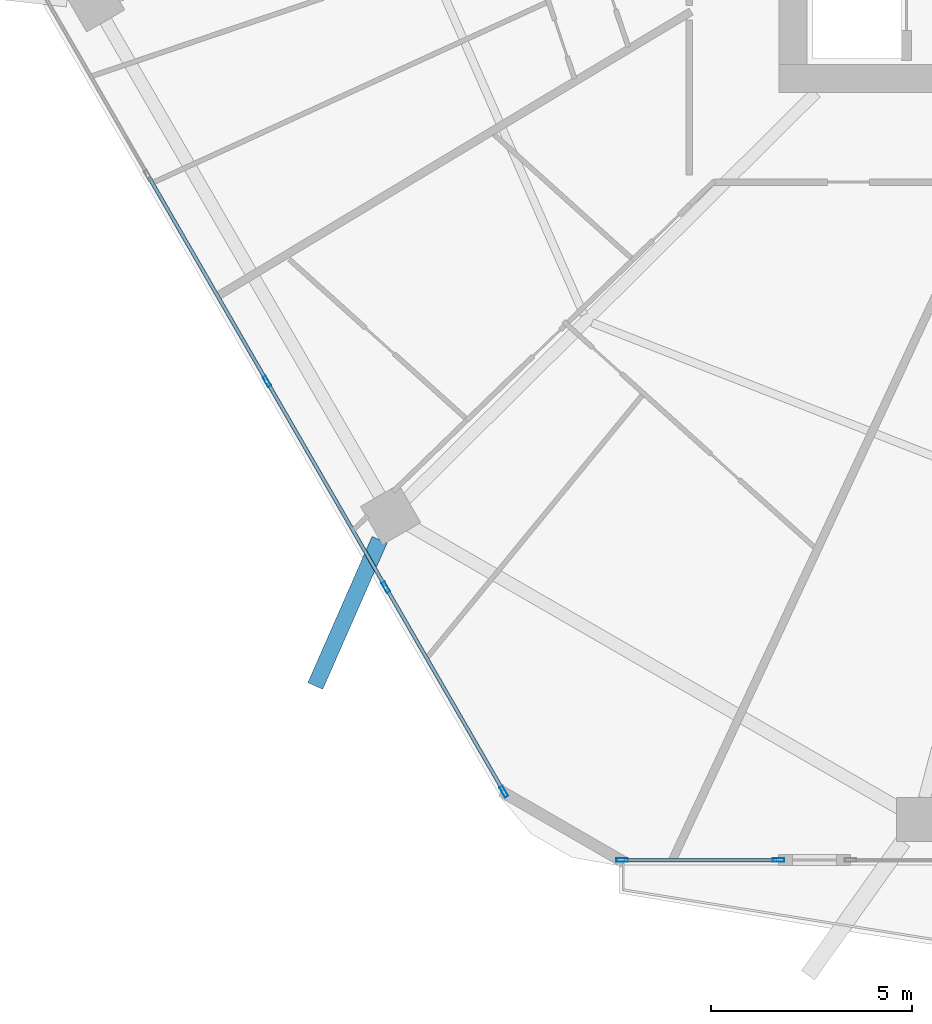
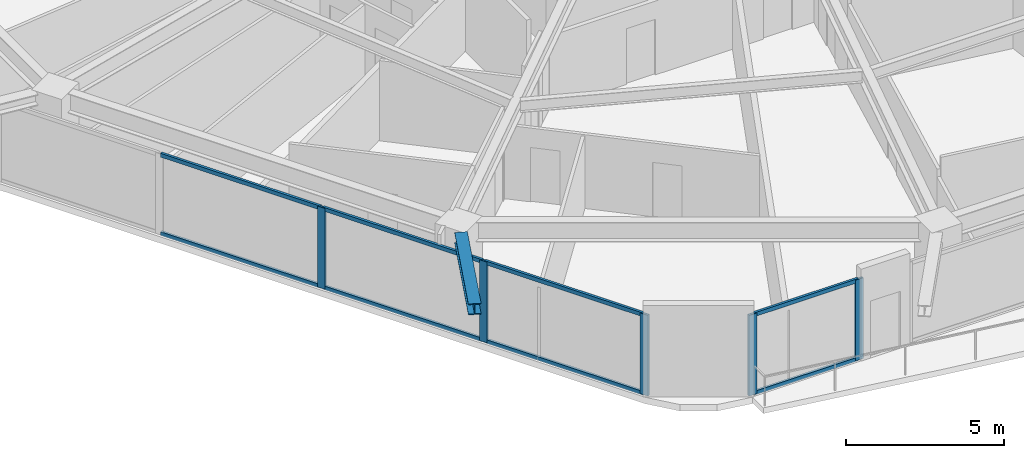
# One storey, part 2 of 33: 13 members, 1 beam, 2 elements without a shape of their own.
"""IFC4 building model written with IfcOpenShell, lengths in metres."""

from ifc_helpers import new_model, si_unit, direction, frame, origin, origin_2d, place, context, subcontext, project, spatial, hollow_rectangle, i_section, extrude, material, material_profile, profile_set, type_object, element, aggregate, save


model = new_model("IFC4")

# Units and contexts
model_context = context("Model", 3, precision=1e-05, world=origin(), true_north=direction((0.0, 1.0)))
body_context = subcontext(model_context, "Body", "Model", "MODEL_VIEW")
ifc_project = project(units=[si_unit("LENGTHUNIT", "METRE"), si_unit("AREAUNIT", "SQUARE_METRE"), si_unit("VOLUMEUNIT", "CUBIC_METRE"), si_unit("PLANEANGLEUNIT", "RADIAN"), si_unit("MASSUNIT", "GRAM", prefix="KILO")], contexts=[model_context])

# Site, building, storey
site_placement = place(None, origin())
site = spatial("IfcSite", under=ifc_project, at=site_placement, CompositionType="ELEMENT")
building_placement = place(site_placement, origin())
building = spatial("IfcBuilding", under=site, at=building_placement, Name="Zuhravey Tower", CompositionType="ELEMENT")
storey_placement = place(building_placement, frame((0.0, 0.0, 103.800048828125)))
storey = spatial("IfcBuildingStorey", under=building, at=storey_placement, Name="L25", CompositionType="ELEMENT", Elevation=103.800048828125)

# Curtain wall, members
ifc_material_1 = material(Name="Thermally broken anodised aluminium", Category="aluminium")
curtain_wall_type = type_object("IfcCurtainWallType", Name="Zone 1-2 Residential Curtain Wall CW3", PredefinedType="NOTDEFINED", material=ifc_material_1)
curtain_wall_1_placement = place(storey_placement, origin())
curtain_wall_1 = element("IfcCurtainWall", 1, at=curtain_wall_1_placement, inside=storey, type_object=curtain_wall_type, Name="L25 CW3 CW-L25-F5-2", PredefinedType="NOTDEFINED")
ifc_material_2 = material(Name="Anodised aluminium", Category="aluminium")
ifc_material_profile_1 = material_profile(ifc_material_2, hollow_rectangle(XDim=0.090087890625, YDim=0.284912109375, WallThickness=0.0048828125, at=origin_2d()), Name="ALU-RHS-90x285x5")
ifc_profile_set_1 = profile_set([ifc_material_profile_1], Name="Anodised aluminium")
member_type_1 = type_object("IfcMemberType", Name="Curtain-Wall Mullion 90x180", PredefinedType="MULLION", material=ifc_profile_set_1)
member_1_placement = place(storey_placement, frame((25.139892578125, 3.04150390625, 0.0), z_axis=(0.0, 0.0, 1.0), x_axis=(0.0, -1.0, 0.0)))
member_1 = element("IfcMember", 2, at=member_1_placement, type_object=member_type_1, Name="CW3 mullion 1", PredefinedType="MULLION", context=body_context, shape_type="SweptSolid", body=[
    extrude(hollow_rectangle(XDim=0.090087890625, YDim=0.284912109375, WallThickness=0.0048828125, at=origin_2d()), origin(), (0.0, 0.0, 1.0), 3.1220703125),
])
member_2_placement = place(storey_placement, frame((21.24560546875, 3.04150390625, 0.0), z_axis=(0.0, 0.0, 1.0), x_axis=(0.0, -1.0, 0.0)))
member_2 = element("IfcMember", 3, at=member_2_placement, type_object=member_type_1, Name="CW3 mullion 2", PredefinedType="MULLION", context=body_context, shape_type="SweptSolid", body=[
    extrude(hollow_rectangle(XDim=0.090087890625, YDim=0.284912109375, WallThickness=0.0048828125, at=origin_2d()), origin(), (0.0, 0.0, 1.0), 3.1220703125),
])

curtain_wall_2_placement = place(storey_placement, origin())
curtain_wall_2 = element("IfcCurtainWall", 4, at=curtain_wall_2_placement, inside=storey, type_object=curtain_wall_type, Name="L25 CW3 CW-L25-F4-1", PredefinedType="NOTDEFINED")
member_3_placement = place(storey_placement, frame((18.298583984375, 4.742919921875, 0.0), z_axis=(0.0, 0.0, 1.0), x_axis=(-0.86602552265, -0.499999794119, 0.0)))
member_3 = element("IfcMember", 5, at=member_3_placement, type_object=member_type_1, Name="CW3 mullion 1", PredefinedType="MULLION", context=body_context, shape_type="SweptSolid", body=[
    extrude(hollow_rectangle(XDim=0.090087890625, YDim=0.284912109375, WallThickness=0.0048828125, at=origin_2d()), origin(), (0.0, 0.0, 1.0), 3.1220703125),
])
member_4_placement = place(storey_placement, frame((15.361083984375, 9.830810546875, 0.0), z_axis=(0.0, 0.0, 1.0), x_axis=(-0.86602552265, -0.499999794119, 0.0)))
member_4 = element("IfcMember", 6, at=member_4_placement, type_object=member_type_1, Name="CW3 mullion 2", PredefinedType="MULLION", context=body_context, shape_type="SweptSolid", body=[
    extrude(hollow_rectangle(XDim=0.090087890625, YDim=0.284912109375, WallThickness=0.0048828125, at=origin_2d()), origin(), (0.0, 0.0, 1.0), 3.1220703125),
])
member_5_placement = place(storey_placement, frame((12.401123046875, 14.95751953125, 0.0), z_axis=(0.0, 0.0, 1.0), x_axis=(-0.86602552265, -0.499999794119, 0.0)))
member_5 = element("IfcMember", 7, at=member_5_placement, type_object=member_type_1, Name="CW3 mullion 3", PredefinedType="MULLION", context=body_context, shape_type="SweptSolid", body=[
    extrude(hollow_rectangle(XDim=0.090087890625, YDim=0.284912109375, WallThickness=0.0048828125, at=origin_2d()), origin(), (0.0, 0.0, 1.0), 3.1220703125),
])

# Member
ifc_material_profile_2 = material_profile(ifc_material_2, hollow_rectangle(XDim=0.090087890625, YDim=0.14990234375, WallThickness=0.0048828125, at=origin_2d()), Name="ALU-RHS-90x150x5")
ifc_profile_set_2 = profile_set([ifc_material_profile_2], Name="Anodised aluminium")
member_type_2 = type_object("IfcMemberType", Name="Curtain-Wall Transom 90x150", PredefinedType="USERDEFINED", material=ifc_profile_set_2)
member_6_placement = place(storey_placement, frame((25.094970703125, 3.04150390625, 0.044921875), z_axis=(-1.0, 0.0, 0.0), x_axis=(0.0, -1.0, 0.0)))
member_6 = element("IfcMember", 8, at=member_6_placement, type_object=member_type_2, Name="CW3 transom 1.1", ObjectType="TRANSOM", PredefinedType="USERDEFINED", context=body_context, shape_type="SweptSolid", body=[
    extrude(hollow_rectangle(XDim=0.090087890625, YDim=0.14990234375, WallThickness=0.0048828125, at=origin_2d()), origin(), (0.0, 0.0, 1.0), 3.804443359375),
])

member_7_placement = place(storey_placement, frame((25.094970703125, 3.04150390625, 3.076904296875), z_axis=(-1.0, 0.0, 0.0), x_axis=(0.0, -1.0, 0.0)))
member_7 = element("IfcMember", 9, at=member_7_placement, type_object=member_type_2, Name="CW3 transom 1.2", ObjectType="TRANSOM", PredefinedType="USERDEFINED", context=body_context, shape_type="SweptSolid", body=[
    extrude(hollow_rectangle(XDim=0.090087890625, YDim=0.14990234375, WallThickness=0.0048828125, at=origin_2d()), origin(), (0.0, 0.0, 1.0), 3.804443359375),
])

aggregate(curtain_wall_1, [member_1, member_2, member_6, member_7])

member_8_placement = place(storey_placement, frame((18.27587890625, 4.781982421875, 0.044921875), z_axis=(-0.499992798144, 0.866029561738, 0.0), x_axis=(-0.866029561738, -0.499992798144, 0.0)))
member_8 = element("IfcMember", 10, at=member_8_placement, type_object=member_type_2, Name="CW3 transom 1.1", ObjectType="TRANSOM", PredefinedType="USERDEFINED", context=body_context, shape_type="SweptSolid", body=[
    extrude(hollow_rectangle(XDim=0.090087890625, YDim=0.14990234375, WallThickness=0.0048828125, at=origin_2d()), origin(), (0.0, 0.0, 1.0), 5.78466796875),
])

member_9_placement = place(storey_placement, frame((18.27587890625, 4.781982421875, 3.076904296875), z_axis=(-0.499992798144, 0.866029561738, 0.0), x_axis=(-0.866029561738, -0.499992798144, 0.0)))
member_9 = element("IfcMember", 11, at=member_9_placement, type_object=member_type_2, Name="CW3 transom 1.2", ObjectType="TRANSOM", PredefinedType="USERDEFINED", context=body_context, shape_type="SweptSolid", body=[
    extrude(hollow_rectangle(XDim=0.090087890625, YDim=0.14990234375, WallThickness=0.0048828125, at=origin_2d()), origin(), (0.0, 0.0, 1.0), 5.78466796875),
])

member_10_placement = place(storey_placement, frame((15.338623046875, 9.86962890625, 0.044921875), z_axis=(-0.500012451049, 0.866018215049, 0.0), x_axis=(-0.866018215049, -0.500012451049, 0.0)))
member_10 = element("IfcMember", 12, at=member_10_placement, type_object=member_type_2, Name="CW3 transom 2.1", ObjectType="TRANSOM", PredefinedType="USERDEFINED", context=body_context, shape_type="SweptSolid", body=[
    extrude(hollow_rectangle(XDim=0.090087890625, YDim=0.14990234375, WallThickness=0.0048828125, at=origin_2d()), origin(), (0.0, 0.0, 1.0), 5.829833984375),
])

member_11_placement = place(storey_placement, frame((15.338623046875, 9.86962890625, 3.076904296875), z_axis=(-0.500012451049, 0.866018215049, 0.0), x_axis=(-0.866018215049, -0.500012451049, 0.0)))
member_11 = element("IfcMember", 13, at=member_11_placement, type_object=member_type_2, Name="CW3 transom 2.2", ObjectType="TRANSOM", PredefinedType="USERDEFINED", context=body_context, shape_type="SweptSolid", body=[
    extrude(hollow_rectangle(XDim=0.090087890625, YDim=0.14990234375, WallThickness=0.0048828125, at=origin_2d()), origin(), (0.0, 0.0, 1.0), 5.829833984375),
])

member_12_placement = place(storey_placement, frame((12.378662109375, 14.996337890625, 0.044921875), z_axis=(-0.499981042766, 0.866036348472, 0.0), x_axis=(-0.866036348472, -0.499981042766, 0.0)))
member_12 = element("IfcMember", 14, at=member_12_placement, type_object=member_type_2, Name="CW3 transom 3.1", ObjectType="TRANSOM", PredefinedType="USERDEFINED", context=body_context, shape_type="SweptSolid", body=[
    extrude(hollow_rectangle(XDim=0.090087890625, YDim=0.14990234375, WallThickness=0.0048828125, at=origin_2d()), origin(), (0.0, 0.0, 1.0), 5.829833984375),
])

member_13_placement = place(storey_placement, frame((12.378662109375, 14.996337890625, 3.076904296875), z_axis=(-0.499981042766, 0.866036348472, 0.0), x_axis=(-0.866036348472, -0.499981042766, 0.0)))
member_13 = element("IfcMember", 15, at=member_13_placement, type_object=member_type_2, Name="CW3 transom 3.2", ObjectType="TRANSOM", PredefinedType="USERDEFINED", context=body_context, shape_type="SweptSolid", body=[
    extrude(hollow_rectangle(XDim=0.090087890625, YDim=0.14990234375, WallThickness=0.0048828125, at=origin_2d()), origin(), (0.0, 0.0, 1.0), 5.829833984375),
])

aggregate(curtain_wall_2, [member_3, member_4, member_5, member_8, member_9, member_10, member_11, member_12, member_13])

# Beam
ifc_material_3 = material(Name="Steel SM460", Category="steel")
ifc_material_profile_3 = material_profile(ifc_material_3, i_section(OverallWidth=0.406982421875, OverallDepth=0.427978515625, WebThickness=0.02001953125, FlangeThickness=0.034912109375, at=origin_2d()), Name="H-428x407x20x35")
ifc_profile_set_3 = profile_set([ifc_material_profile_3], Name="Steel SM460")
beam_type = type_object("IfcBeamType", Name="Exoskeleton Node Tie Beam H428x407", PredefinedType="BEAM", material=ifc_profile_set_3)
beam_placement = place(storey_placement, frame((15.204833984375, 11.014892578125, 3.3359375), z_axis=(-0.402345456296, -0.915487921164, 0.0), x_axis=(0.915487921164, -0.402345456296, 0.0)))
element("IfcBeam", 16, at=beam_placement, inside=storey, type_object=beam_type, Name="L25 Exoskeleton Node Tie NT1-08", PredefinedType="BEAM", context=body_context, shape_type="SweptSolid", body=[
    extrude(i_section(OverallWidth=0.406982421875, OverallDepth=0.427978515625, WebThickness=0.02001953125, FlangeThickness=0.034912109375, at=origin_2d()), origin(), (0.0, 0.0, 1.0), 3.97509765625),
])

save(model, "model.ifc")
